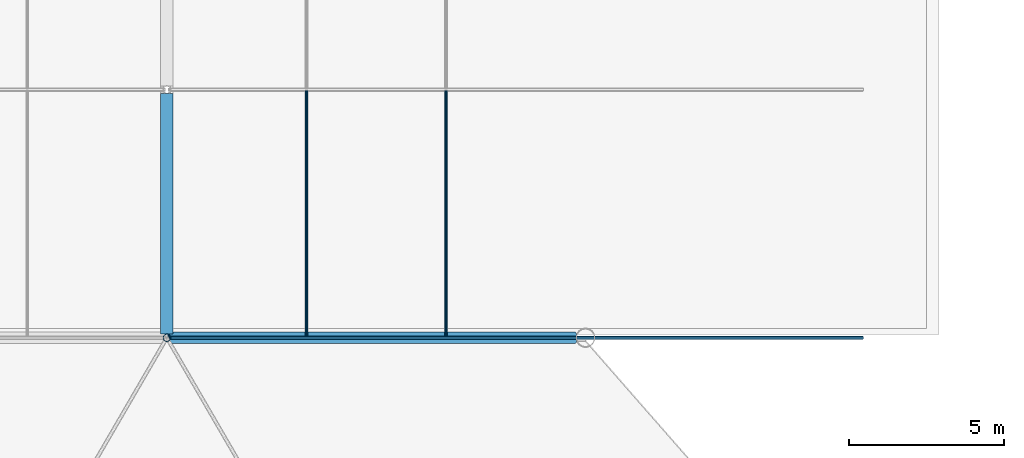
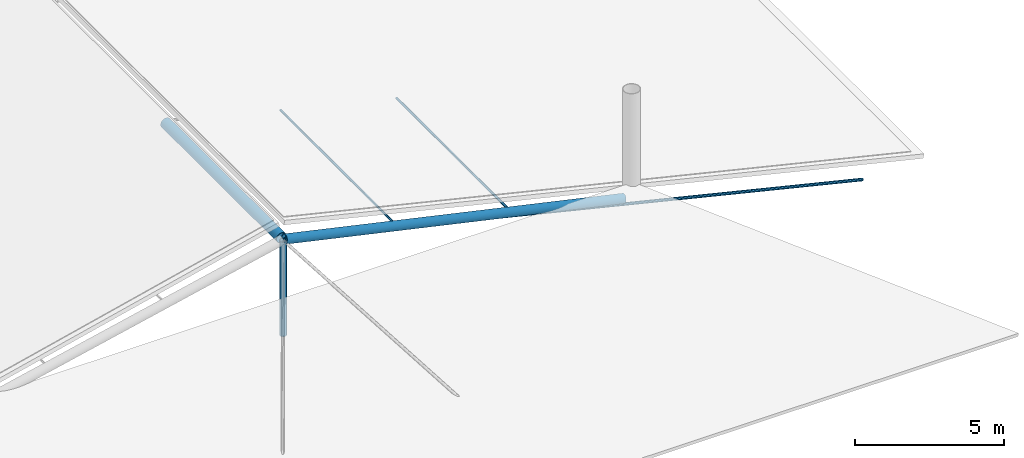
# One storey, part 7 of 71: 6 members.
"""IFC4 building model written with IfcOpenShell, lengths in metres."""

import ifcopenshell
import ifcopenshell.guid

model = None  # the IFC model being written
_history = None  # IfcOwnerHistory: only IFC2X3 demands one
_inside = {}  # id of a spatial element -> (the spatial element, [elements in it])
_under = {}  # id of a project, library or spatial element -> (it, [spatial elements below it])
_declared = {}  # id of a project -> (the project, [libraries it declares])
_typed = {}  # id of a type object -> (the type object, [elements of that type])
_made_of = {}  # id of a material, layer set ... -> (it, [elements and type objects made of it])


def new_model(schema):
    """Start an empty IFC model of exactly this schema.

    Asked for "IFC4X3", IfcOpenShell would pick the latest addendum, in which some entities
    have other attributes; the version numbers below select the first issue.
    IFC2X3 requires an IfcOwnerHistory on every rooted entity: one is made here for all.
    """
    global model, _history
    if schema == "IFC4X3":
        model = ifcopenshell.file(schema_version=(4, 3, 0, 0))
    else:
        model = ifcopenshell.file(schema=schema)
    _inside.clear()
    _under.clear()
    _declared.clear()
    _typed.clear()
    _made_of.clear()
    _history = None
    if model.schema == "IFC2X3":
        org = make("IfcOrganization", Name="unknown")
        user = make(
            "IfcPersonAndOrganization",
            ThePerson=make("IfcPerson", FamilyName="unknown"),
            TheOrganization=org,
        )
        app = make(
            "IfcApplication",
            ApplicationDeveloper=org,
            Version="unknown",
            ApplicationFullName="unknown",
            ApplicationIdentifier="unknown",
        )
        _history = make(
            "IfcOwnerHistory",
            OwningUser=user,
            OwningApplication=app,
            ChangeAction="ADDED",
            CreationDate=0,
        )
    return model


def make(cls, **values):
    """One entity of the class cls with the attributes given. An attribute that is None is left unset."""
    return model.create_entity(
        cls, **{name: value for name, value in values.items() if value is not None}
    )


def rooted(cls, **values):
    """An entity with a GlobalId (a new one), such as an element, a storey or a relation."""
    return make(cls, GlobalId=ifcopenshell.guid.new(), OwnerHistory=_history, **values)


def si_unit(unit_type, name, prefix=None):
    """IfcSIUnit, for example si_unit("LENGTHUNIT", "METRE", prefix="MILLI")."""
    return make("IfcSIUnit", UnitType=unit_type, Prefix=prefix, Name=name)


def derived_unit(unit_type, elements):
    """IfcDerivedUnit: a product of units, each with its exponent."""
    return make(
        "IfcDerivedUnit",
        Elements=[
            make("IfcDerivedUnitElement", Unit=unit, Exponent=power)
            for unit, power in elements
        ],
        UnitType=unit_type,
    )


def assignment(units):
    """IfcUnitAssignment: the units of a project."""
    return None if units is None else make("IfcUnitAssignment", Units=units)


def point(xyz):
    """IfcCartesianPoint."""
    return None if xyz is None else make("IfcCartesianPoint", Coordinates=xyz)


def direction(xyz):
    """IfcDirection."""
    return None if xyz is None else make("IfcDirection", DirectionRatios=xyz)


def frame(location, z_axis=None, x_axis=None):
    """IfcAxis2Placement3D, a coordinate frame: its origin and axes. An axis left out is left unset."""
    return make(
        "IfcAxis2Placement3D",
        Location=point(location),
        Axis=direction(z_axis),
        RefDirection=direction(x_axis),
    )


def frame_2d(location, x_axis=None):
    """IfcAxis2Placement2D, a coordinate frame in the plane: its origin and x axis."""
    return make(
        "IfcAxis2Placement2D", Location=point(location), RefDirection=direction(x_axis)
    )


def origin():
    """The frame at (0, 0, 0) with its axes left unset."""
    return frame((0.0, 0.0, 0.0))


def origin_2d():
    """The frame at (0, 0) in the plane with its x axis left unset."""
    return frame_2d((0.0, 0.0))


def place(relative_to, where):
    """IfcLocalPlacement: puts the frame where relative to a parent placement (None: the world)."""
    return make(
        "IfcLocalPlacement", PlacementRelTo=relative_to, RelativePlacement=where
    )


def context(
    kind, dimensions, precision=None, world=None, true_north=None, identifier=None
):
    """IfcGeometricRepresentationContext, for example the 3D "Model" context."""
    return make(
        "IfcGeometricRepresentationContext",
        ContextIdentifier=identifier,
        ContextType=kind,
        CoordinateSpaceDimension=dimensions,
        Precision=precision,
        WorldCoordinateSystem=world,
        TrueNorth=true_north,
    )


def subcontext(parent, identifier, kind, view, scale=None):
    """IfcGeometricRepresentationSubContext, for example "Body" below "Model"."""
    return make(
        "IfcGeometricRepresentationSubContext",
        ContextIdentifier=identifier,
        ContextType=kind,
        ParentContext=parent,
        TargetScale=scale,
        TargetView=view,
    )


def project(units=None, contexts=None):
    """IfcProject with its units and contexts."""
    return rooted(
        "IfcProject",
        Name="project",
        RepresentationContexts=contexts,
        UnitsInContext=assignment(units),
    )


def spatial(cls, under=None, at=None, **own):
    """A site, building, storey or space (cls), placed at a placement, below another one or the project."""
    s = rooted(cls, ObjectPlacement=at, **own)
    if under is not None:
        _under.setdefault(under.id(), (under, []))[1].append(s)
    return s


def profile(cls, at=None, kind="AREA", **sizes):
    """A parametric profile (cls). Its sizes go by their IFC names, for example OverallWidth=200.0."""
    return make(cls, ProfileType=kind, Position=at, **sizes)


def hollow_circle(**sizes):
    """IfcCircleHollowProfileDef."""
    return profile("IfcCircleHollowProfileDef", **sizes)


def extrude(swept, where, along, depth):
    """IfcExtrudedAreaSolid: the profile swept, set in the frame where, extruded along a direction by depth."""
    return make(
        "IfcExtrudedAreaSolid",
        SweptArea=swept,
        Position=where,
        ExtrudedDirection=direction(along),
        Depth=depth,
    )


def shape(context_of_items, identifier, shape_type, items):
    """IfcShapeRepresentation: the items that make up one representation, for example the "Body"."""
    return make(
        "IfcShapeRepresentation",
        ContextOfItems=context_of_items,
        RepresentationIdentifier=identifier,
        RepresentationType=shape_type,
        Items=items,
    )


def material(Name=None, Category=None):
    """IfcMaterial."""
    return make("IfcMaterial", Name=Name, Category=Category)


def material_profile(
    of_material, cross_section, Name=None, Category=None, Priority=None
):
    """IfcMaterialProfile: a cross section and its material."""
    return make(
        "IfcMaterialProfile",
        Name=Name,
        Material=of_material,
        Profile=cross_section,
        Priority=Priority,
        Category=Category,
    )


def profile_set(profiles, Name=None, composite=None):
    """IfcMaterialProfileSet."""
    return make(
        "IfcMaterialProfileSet",
        Name=Name,
        MaterialProfiles=profiles,
        CompositeProfile=composite,
    )


def made_of(thing, what):
    """Note that an element or type object is made of a material, layer set ...; save() writes the relation."""
    if what is not None:
        _made_of.setdefault(what.id(), (what, []))[1].append(thing)
    return thing


def type_object(cls, material=None, **own):
    """A type object (cls), such as IfcWallType, which elements share."""
    return made_of(rooted(cls, **own), material)


def element(
    cls,
    number,
    at=None,
    inside=None,
    cuts=None,
    type_object=None,
    material=None,
    context=None,
    identifier="Body",
    shape_type=None,
    held_by="IfcProductDefinitionShape",
    body=None,
    shapes=None,
    **own,
):
    """One element of the class cls, such as IfcWall. Its Tag is "e" and its number.

    at: its placement. inside: the storey or other place that contains it. cuts: it is an
    opening in that element (IfcRelVoidsElement). A single representation is given by context,
    identifier, shape_type and body (its items); several are given by shapes. held_by: the class
    of the entity that holds the representations. save() writes the other relations.
    """
    e = rooted(cls, Tag="e%d" % number, ObjectPlacement=at, **own)
    if body is not None:
        shapes = [shape(context, identifier, shape_type, body)]
    if shapes is not None:
        e.Representation = make(held_by, Representations=shapes)
    if inside is not None:
        _inside.setdefault(inside.id(), (inside, []))[1].append(e)
    if cuts is not None:
        rooted(
            "IfcRelVoidsElement", RelatingBuildingElement=cuts, RelatedOpeningElement=e
        )
    if type_object is not None:
        _typed.setdefault(type_object.id(), (type_object, []))[1].append(e)
    return made_of(e, material)


def aggregate(whole, parts):
    """IfcRelAggregates: a whole, such as a stair, and the parts it consists of."""
    return rooted("IfcRelAggregates", RelatingObject=whole, RelatedObjects=parts)


def save(model, path):
    """Write the relations noted so far, then the file.

    IfcRelAggregates (storeys below a building ...), IfcRelContainedInSpatialStructure (elements
    in a storey), IfcRelDefinesByType, IfcRelAssociatesMaterial and IfcRelDeclares: one each for
    every whole, place, type object, material and project.
    """
    for whole, parts in _under.values():
        aggregate(whole, parts)
    for where, things in _inside.values():
        rooted(
            "IfcRelContainedInSpatialStructure",
            RelatedElements=things,
            RelatingStructure=where,
        )
    for kind, things in _typed.values():
        rooted("IfcRelDefinesByType", RelatedObjects=things, RelatingType=kind)
    for what, things in _made_of.values():
        rooted("IfcRelAssociatesMaterial", RelatedObjects=things, RelatingMaterial=what)
    for by, libraries in _declared.values():
        rooted("IfcRelDeclares", RelatingContext=by, RelatedDefinitions=libraries)
    model.write(path)


model = new_model("IFC4")

# Units and contexts
model_context = context("Model", 3, precision=1e-05, world=origin(), true_north=direction((0.0, 1.0)))
body_context = subcontext(model_context, "Body", "Model", "MODEL_VIEW")
ifc_project = project(units=[si_unit("LENGTHUNIT", "METRE"), si_unit("AREAUNIT", "SQUARE_METRE"), si_unit("VOLUMEUNIT", "CUBIC_METRE"), si_unit("PLANEANGLEUNIT", "RADIAN"), si_unit("MASSUNIT", "GRAM", prefix="KILO"), derived_unit("THERMALTRANSMITTANCEUNIT", [(si_unit("MASSUNIT", "GRAM", prefix="KILO"), 1), (si_unit("TIMEUNIT", "SECOND"), -3), (si_unit("THERMODYNAMICTEMPERATUREUNIT", "KELVIN"), -1)])], contexts=[model_context])

# Site, building, storey
site_placement = place(None, origin())
site = spatial("IfcSite", under=ifc_project, at=site_placement, CompositionType="ELEMENT")
building_placement = place(site_placement, origin())
building = spatial("IfcBuilding", under=site, at=building_placement, Name="Zhenchuan Archway Interchange", CompositionType="ELEMENT")
storey_placement = place(building_placement, frame((0.0, 0.0, 18.60009765625)))
storey = spatial("IfcBuildingStorey", under=building, at=storey_placement, Name="L04", CompositionType="ELEMENT", Elevation=18.60009765625)

# Members
ifc_material_1 = material(Name="Steel Q390", Category="steel")
ifc_material_profile_1 = material_profile(ifc_material_1, hollow_circle(Radius=0.056884765625, WallThickness=0.006103515625, at=origin_2d()), Name="CHS 114x6")
ifc_profile_set_1 = profile_set([ifc_material_profile_1], Name="Steel Q390")
member_type_1 = type_object("IfcMemberType", Name="MB_CBL_CHS114", PredefinedType="USERDEFINED", material=ifc_profile_set_1)
member_1_placement = place(storey_placement, frame((49.550048828125, 32.0, 2.75), z_axis=(0.972148755208, 0.0, -0.234364668299), x_axis=(0.0, 1.0, 0.0)))
element("IfcMember", 1, at=member_1_placement, inside=storey, type_object=member_type_1, Name="CONCOURSE ROOF CABLE east radial strand 1", ObjectType="CABLE", PredefinedType="USERDEFINED", context=body_context, shape_type="SweptSolid", body=[
    extrude(hollow_circle(Radius=0.056884765625, WallThickness=0.006103515625, at=origin_2d()), origin(), (0.0, 0.0, 1.0), 23.041748046875),
])
ifc_material_profile_2 = material_profile(ifc_material_1, hollow_circle(Radius=0.04443359375, WallThickness=0.006103515625, at=origin_2d()), Name="CHS 89x6")
ifc_profile_set_2 = profile_set([ifc_material_profile_2], Name="Steel Q390")
member_type_2 = type_object("IfcMemberType", Name="MB_CBL_CHS89", PredefinedType="USERDEFINED", material=ifc_profile_set_2)
for number, where, z_axis, x_axis, name in (
    (2, (54.0, 32.02001953125, 1.639892578125), (0.0, 1.0, 0.0), (-1.0, 0.0, 0.0), "CONCOURSE ROOF CABLE longitudinal net strand 1-4"),
    (3, (58.5, 32.02001953125, 0.559814453125), (0.0, 1.0, 0.0), (-1.0, 0.0, 0.0), "CONCOURSE ROOF CABLE longitudinal net strand 1-5"),
):
    element("IfcMember", number, at=place(storey_placement, frame(where, z_axis=z_axis, x_axis=x_axis)), inside=storey, type_object=member_type_2, Name=name, ObjectType="CABLE", PredefinedType="USERDEFINED", context=body_context, shape_type="SweptSolid", body=[
        extrude(hollow_circle(Radius=0.04443359375, WallThickness=0.006103515625, at=origin_2d()), origin(), (0.0, 0.0, 1.0), 7.9599609375),
    ])
ifc_material_2 = material(Name="Steel Q355", Category="steel")
ifc_material_profile_3 = material_profile(ifc_material_2, hollow_circle(Radius=0.12255859375, WallThickness=0.010009765625, at=origin_2d()), Name="CHS 245x10")
ifc_profile_set_3 = profile_set([ifc_material_profile_3], Name="Steel Q355")
member_type_3 = type_object("IfcMemberType", Name="MB_CHS245", PredefinedType="BRACE", material=ifc_profile_set_3)
member_2_placement = place(storey_placement, frame((49.5, 32.0, -1.150146484375), z_axis=(0.0, 0.0, 1.0), x_axis=(1.0, 0.0, 0.0)))
element("IfcMember", 4, at=member_2_placement, inside=storey, type_object=member_type_3, Name="ROOF TRUSS concourse arch A1 crown king-post", PredefinedType="BRACE", context=body_context, shape_type="SweptSolid", body=[
    extrude(hollow_circle(Radius=0.12255859375, WallThickness=0.010009765625, at=origin_2d()), origin(), (0.0, 0.0, 1.0), 3.8701171875),
])
ifc_material_profile_4 = material_profile(ifc_material_2, hollow_circle(Radius=0.177978515625, WallThickness=0.011962890625, at=origin_2d()), Name="CHS 356x12")
ifc_profile_set_4 = profile_set([ifc_material_profile_4], Name="Steel Q355")
member_type_4 = type_object("IfcMemberType", Name="MB_CHS356", PredefinedType="CHORD", material=ifc_profile_set_4)
member_3_placement = place(storey_placement, frame((49.550048828125, 32.0, 2.75), z_axis=(0.975991093765, 0.0, -0.217810433384), x_axis=(0.0, 1.0, 0.0)))
element("IfcMember", 5, at=member_3_placement, inside=storey, type_object=member_type_4, Name="CONCOURSE CABLE-NET RING BEAM transverse rafter SE", PredefinedType="CHORD", context=body_context, shape_type="SweptSolid", body=[
    extrude(hollow_circle(Radius=0.177978515625, WallThickness=0.011962890625, at=origin_2d()), origin(), (0.0, 0.0, 1.0), 13.452880859375),
])
ifc_material_profile_5 = material_profile(ifc_material_1, hollow_circle(Radius=0.202880859375, WallThickness=0.013916015625, at=origin_2d()), Name="CHS 406x14")
ifc_profile_set_5 = profile_set([ifc_material_profile_5], Name="Steel Q390")
member_type_5 = type_object("IfcMemberType", Name="MB_CHS406", PredefinedType="CHORD", material=ifc_profile_set_5)
member_4_placement = place(storey_placement, frame((49.5, 32.1201171875, 2.75), z_axis=(0.0, 1.0, 0.0), x_axis=(-1.0, 0.0, 0.0)))
element("IfcMember", 6, at=member_4_placement, inside=storey, type_object=member_type_5, Name="CONCOURSE ROOF CABLE crown ridge chord 1", PredefinedType="CHORD", context=body_context, shape_type="SweptSolid", body=[
    extrude(hollow_circle(Radius=0.202880859375, WallThickness=0.013916015625, at=origin_2d()), origin(), (0.0, 0.0, 1.0), 7.759765625),
])

save(model, "model.ifc")
